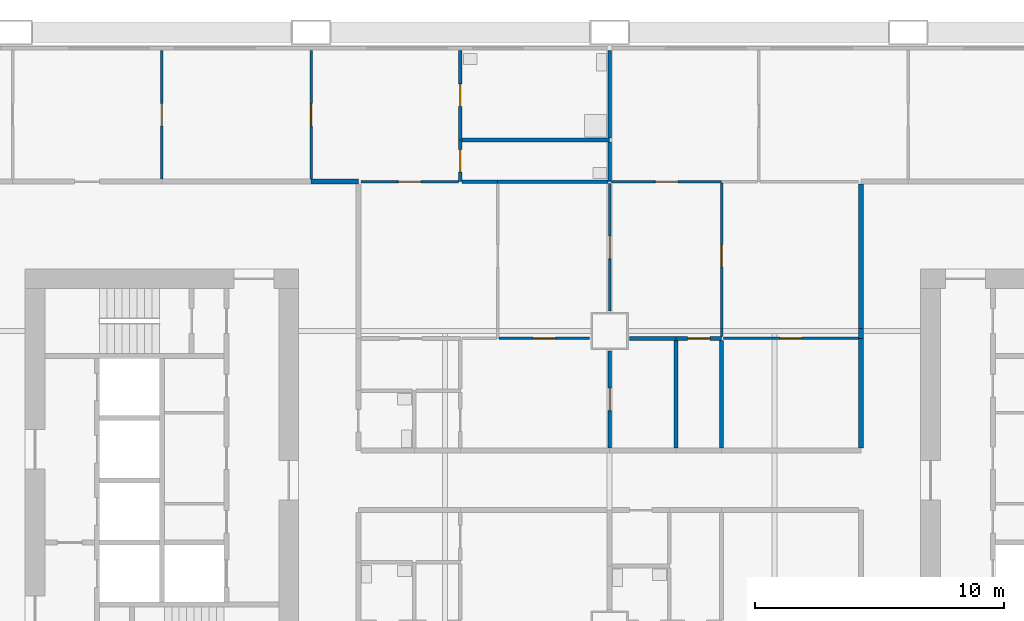
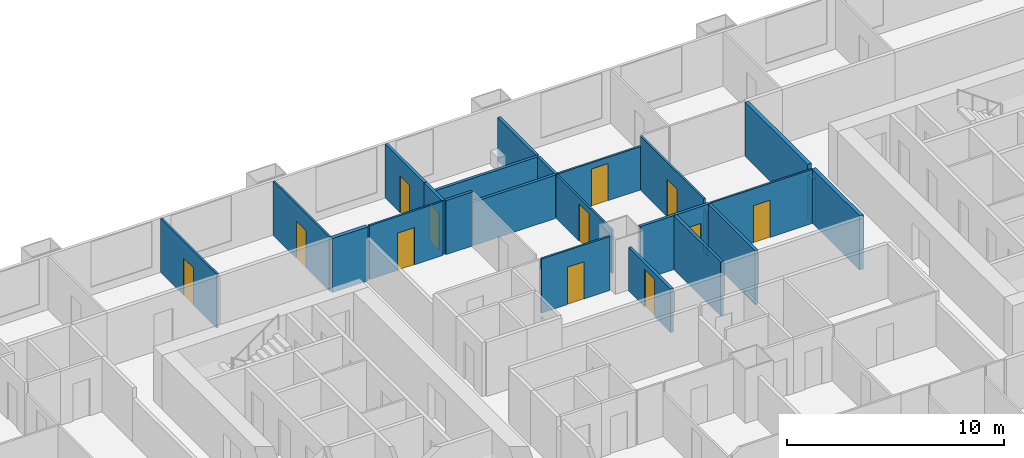
# One storey, part 9 of 14: 25 walls, 12 doors, 12 openings.
"""IFC4 building model written with IfcOpenShell, lengths in metres."""

from ifc_helpers import new_model, si_unit, direction, frame, frame_2d, origin, place, context, subcontext, project, spatial, rectangle, extrude, material, layer, layer_set, type_object, element, fill, save


model = new_model("IFC4")

# Units and contexts
model_context = context("Model", 3, precision=1e-05, world=origin(), true_north=direction((0.0, 1.0)))
body_context = subcontext(model_context, "Body", "Model", "MODEL_VIEW")
ifc_project = project(units=[si_unit("LENGTHUNIT", "METRE"), si_unit("AREAUNIT", "SQUARE_METRE"), si_unit("VOLUMEUNIT", "CUBIC_METRE"), si_unit("PLANEANGLEUNIT", "RADIAN"), si_unit("MASSUNIT", "GRAM", prefix="KILO")], contexts=[model_context])

# Site, building, storey
site_placement = place(None, origin())
site = spatial("IfcSite", under=ifc_project, at=site_placement, CompositionType="ELEMENT")
building_placement = place(site_placement, origin())
building = spatial("IfcBuilding", under=site, at=building_placement, Name="Kitamizu Gate Tower and Museum", CompositionType="ELEMENT")
storey_placement = place(building_placement, frame((0.0, 0.0, 67.949951171875)))
storey = spatial("IfcBuildingStorey", under=building, at=storey_placement, Name="L16", CompositionType="ELEMENT", Elevation=67.949951171875)

# Wall, opening, door
ifc_material_1 = material(Name="Gypsum board on galvanised stud")
ifc_layer_1 = layer(ifc_material_1, 0.10009765625)
ifc_layer_set_1 = layer_set([ifc_layer_1], Name="Gypsum board on galvanised stud")
wall_type_1 = type_object("IfcWallType", Name="Partition 100 NOT RATED", PredefinedType="PARTITIONING", material=ifc_layer_set_1)
wall_1_placement = place(storey_placement, frame((18.0, 42.10009765625, 0.0), z_axis=(0.0, 0.0, 1.0), x_axis=(0.0, 1.0, 0.0)))
wall_1 = element("IfcWall", 1, at=wall_1_placement, inside=storey, type_object=wall_type_1, Name="Partition L16-153", PredefinedType="PARTITIONING", context=body_context, shape_type="SweptSolid", body=[
    extrude(rectangle(XDim=5.179931640625, YDim=0.10009765625, at=frame_2d((2.58984375, 0.0))), origin(), (0.0, 0.0, 1.0), 3.050048828125),
])
opening_1_placement = place(wall_1_placement, frame((2.139892578125, 0.0, 0.0)))
opening_1 = element("IfcOpeningElement", 2, at=opening_1_placement, cuts=wall_1, Name="Opening L16-058", PredefinedType="OPENING", context=body_context, shape_type="SweptSolid", body=[
    extrude(rectangle(XDim=0.89990234375, YDim=2.10009765625, at=frame_2d((0.449951171875, 1.050048828125))), frame((0.0, 0.06005859375, 0.0), z_axis=(0.0, -1.0, 0.0), x_axis=(1.0, 0.0, 0.0)), (0.0, 0.0, 1.0), 0.1201171875),
])
ifc_material_2 = material(Name="Timber door set", Category="wood")
door_type_1 = type_object("IfcDoorType", Name="Room door 900", OperationType="NOTDEFINED", PredefinedType="DOOR", material=ifc_material_2)
door_1_placement = place(opening_1_placement, frame((0.89990234375, 0.0, 0.0), x_axis=(-1.0, 0.0, 0.0)))
door_1 = element("IfcDoor", 3, at=door_1_placement, inside=storey, type_object=door_type_1, Name="Door L16-058", OperationType="SINGLE_SWING_LEFT", OverallHeight=2.10009765625, OverallWidth=0.89990234375, PredefinedType="DOOR", context=body_context, shape_type="SweptSolid", body=[
    extrude(rectangle(XDim=0.89990234375, YDim=2.10009765625, at=frame_2d((0.449951171875, 1.050048828125))), frame((0.0, 0.02490234375, 0.0), z_axis=(0.0, -1.0, 0.0), x_axis=(1.0, 0.0, 0.0)), (0.0, 0.0, 1.0), 0.050048828125),
])
fill(opening_1, door_1)

wall_2_placement = place(storey_placement, frame((24.0, 42.10009765625, 0.0), z_axis=(0.0, 0.0, 1.0), x_axis=(0.0, 1.0, 0.0)))
wall_2 = element("IfcWall", 4, at=wall_2_placement, inside=storey, type_object=wall_type_1, Name="Partition L16-155", PredefinedType="PARTITIONING", context=body_context, shape_type="SweptSolid", body=[
    extrude(rectangle(XDim=5.179931640625, YDim=0.10009765625, at=frame_2d((2.58984375, 0.0))), origin(), (0.0, 0.0, 1.0), 3.050048828125),
])
opening_2_placement = place(wall_2_placement, frame((2.139892578125, 0.0, 0.0)))
opening_2 = element("IfcOpeningElement", 5, at=opening_2_placement, cuts=wall_2, Name="Opening L16-059", PredefinedType="OPENING", context=body_context, shape_type="SweptSolid", body=[
    extrude(rectangle(XDim=0.89990234375, YDim=2.10009765625, at=frame_2d((0.449951171875, 1.050048828125))), frame((0.0, 0.06005859375, 0.0), z_axis=(0.0, -1.0, 0.0), x_axis=(1.0, 0.0, 0.0)), (0.0, 0.0, 1.0), 0.1201171875),
])
door_2_placement = place(opening_2_placement, origin())
door_2 = element("IfcDoor", 6, at=door_2_placement, inside=storey, type_object=door_type_1, Name="Door L16-059", OperationType="SINGLE_SWING_LEFT", OverallHeight=2.10009765625, OverallWidth=0.89990234375, PredefinedType="DOOR", context=body_context, shape_type="SweptSolid", body=[
    extrude(rectangle(XDim=0.89990234375, YDim=2.10009765625, at=frame_2d((0.449951171875, 1.050048828125))), frame((0.0, 0.02490234375, 0.0), z_axis=(0.0, -1.0, 0.0), x_axis=(1.0, 0.0, 0.0)), (0.0, 0.0, 1.0), 0.050048828125),
])
fill(opening_2, door_2)

wall_3_placement = place(storey_placement, frame((26.0, 42.0, 0.0), z_axis=(0.0, 0.0, 1.0), x_axis=(1.0, 0.0, 0.0)))
wall_3 = element("IfcWall", 7, at=wall_3_placement, inside=storey, type_object=wall_type_1, Name="Partition L16-159", PredefinedType="PARTITIONING", context=body_context, shape_type="SweptSolid", body=[
    extrude(rectangle(XDim=3.925048828125, YDim=0.10009765625, at=frame_2d((1.96240234375, 0.0))), origin(), (0.0, 0.0, 1.0), 3.050048828125),
])
opening_3_placement = place(wall_3_placement, frame((1.512451171875, 0.0, 0.0)))
opening_3 = element("IfcOpeningElement", 8, at=opening_3_placement, cuts=wall_3, Name="Opening L16-062", PredefinedType="OPENING", context=body_context, shape_type="SweptSolid", body=[
    extrude(rectangle(XDim=0.89990234375, YDim=2.10009765625, at=frame_2d((0.449951171875, 1.050048828125))), frame((0.0, 0.06005859375, 0.0), z_axis=(0.0, -1.0, 0.0), x_axis=(1.0, 0.0, 0.0)), (0.0, 0.0, 1.0), 0.1201171875),
])
door_3_placement = place(opening_3_placement, origin())
door_3 = element("IfcDoor", 9, at=door_3_placement, inside=storey, type_object=door_type_1, Name="Door L16-062", OperationType="SINGLE_SWING_RIGHT", OverallHeight=2.10009765625, OverallWidth=0.89990234375, PredefinedType="DOOR", context=body_context, shape_type="SweptSolid", body=[
    extrude(rectangle(XDim=0.89990234375, YDim=2.10009765625, at=frame_2d((0.449951171875, 1.050048828125))), frame((0.0, 0.02490234375, 0.0), z_axis=(0.0, -1.0, 0.0), x_axis=(1.0, 0.0, 0.0)), (0.0, 0.0, 1.0), 0.050048828125),
])
fill(opening_3, door_3)

wall_4_placement = place(storey_placement, frame((36.074951171875, 42.0, 0.0), z_axis=(0.0, 0.0, 1.0), x_axis=(1.0, 0.0, 0.0)))
wall_4 = element("IfcWall", 10, at=wall_4_placement, inside=storey, type_object=wall_type_1, Name="Partition L16-167", PredefinedType="PARTITIONING", context=body_context, shape_type="SweptSolid", body=[
    extrude(rectangle(XDim=4.425048828125, YDim=0.10009765625, at=frame_2d((2.21240234375, 0.0))), origin(), (0.0, 0.0, 1.0), 2.449951171875),
])
opening_4_placement = place(wall_4_placement, frame((1.762451171875, 0.0, 0.0)))
opening_4 = element("IfcOpeningElement", 11, at=opening_4_placement, cuts=wall_4, Name="Opening L16-071", PredefinedType="OPENING", context=body_context, shape_type="SweptSolid", body=[
    extrude(rectangle(XDim=0.89990234375, YDim=2.10009765625, at=frame_2d((0.449951171875, 1.050048828125))), frame((0.0, 0.06005859375, 0.0), z_axis=(0.0, -1.0, 0.0), x_axis=(1.0, 0.0, 0.0)), (0.0, 0.0, 1.0), 0.1201171875),
])
door_4_placement = place(opening_4_placement, frame((0.89990234375, 0.0, 0.0), x_axis=(-1.0, 0.0, 0.0)))
door_4 = element("IfcDoor", 12, at=door_4_placement, inside=storey, type_object=door_type_1, Name="Door L16-071", OperationType="SINGLE_SWING_LEFT", OverallHeight=2.10009765625, OverallWidth=0.89990234375, PredefinedType="DOOR", context=body_context, shape_type="SweptSolid", body=[
    extrude(rectangle(XDim=0.89990234375, YDim=2.10009765625, at=frame_2d((0.449951171875, 1.050048828125))), frame((0.0, 0.02490234375, 0.0), z_axis=(0.0, -1.0, 0.0), x_axis=(1.0, 0.0, 0.0)), (0.0, 0.0, 1.0), 0.050048828125),
])
fill(opening_4, door_4)

wall_5_placement = place(storey_placement, frame((31.550048828125, 35.699951171875, 0.0), z_axis=(0.0, 0.0, 1.0), x_axis=(1.0, 0.0, 0.0)))
wall_5 = element("IfcWall", 13, at=wall_5_placement, inside=storey, type_object=wall_type_1, Name="Partition L16-181", PredefinedType="PARTITIONING", context=body_context, shape_type="SweptSolid", body=[
    extrude(rectangle(XDim=3.64990234375, YDim=0.10009765625, at=frame_2d((1.824951171875, 0.0))), origin(), (0.0, 0.0, 1.0), 3.050048828125),
])
opening_5_placement = place(wall_5_placement, frame((1.375, 0.0, 0.0)))
opening_5 = element("IfcOpeningElement", 14, at=opening_5_placement, cuts=wall_5, Name="Opening L16-065", PredefinedType="OPENING", context=body_context, shape_type="SweptSolid", body=[
    extrude(rectangle(XDim=0.89990234375, YDim=2.10009765625, at=frame_2d((0.449951171875, 1.050048828125))), frame((0.0, 0.06005859375, 0.0), z_axis=(0.0, -1.0, 0.0), x_axis=(1.0, 0.0, 0.0)), (0.0, 0.0, 1.0), 0.1201171875),
])
door_5_placement = place(opening_5_placement, frame((0.89990234375, 0.0, 0.0), x_axis=(-1.0, 0.0, 0.0)))
door_5 = element("IfcDoor", 15, at=door_5_placement, inside=storey, type_object=door_type_1, Name="Door L16-065", OperationType="SINGLE_SWING_RIGHT", OverallHeight=2.10009765625, OverallWidth=0.89990234375, PredefinedType="DOOR", context=body_context, shape_type="SweptSolid", body=[
    extrude(rectangle(XDim=0.89990234375, YDim=2.10009765625, at=frame_2d((0.449951171875, 1.050048828125))), frame((0.0, 0.02490234375, 0.0), z_axis=(0.0, -1.0, 0.0), x_axis=(1.0, 0.0, 0.0)), (0.0, 0.0, 1.0), 0.050048828125),
])
fill(opening_5, door_5)

wall_6_placement = place(storey_placement, frame((36.0, 36.800048828125, 0.0), z_axis=(0.0, 0.0, 1.0), x_axis=(0.0, 1.0, 0.0)))
wall_6 = element("IfcWall", 16, at=wall_6_placement, inside=storey, type_object=wall_type_1, Name="Partition L16-182", PredefinedType="PARTITIONING", context=body_context, shape_type="SweptSolid", body=[
    extrude(rectangle(XDim=5.125, YDim=0.10009765625, at=frame_2d((2.5625, 0.0))), origin(), (0.0, 0.0, 1.0), 2.449951171875),
])
opening_6_placement = place(wall_6_placement, frame((2.112548828125, 0.0, 0.0)))
opening_6 = element("IfcOpeningElement", 17, at=opening_6_placement, cuts=wall_6, Name="Opening L16-066", PredefinedType="OPENING", context=body_context, shape_type="SweptSolid", body=[
    extrude(rectangle(XDim=0.89990234375, YDim=2.10009765625, at=frame_2d((0.449951171875, 1.050048828125))), frame((0.0, 0.06005859375, 0.0), z_axis=(0.0, -1.0, 0.0), x_axis=(1.0, 0.0, 0.0)), (0.0, 0.0, 1.0), 0.1201171875),
])
door_6_placement = place(opening_6_placement, frame((0.89990234375, 0.0, 0.0), x_axis=(-1.0, 0.0, 0.0)))
door_6 = element("IfcDoor", 18, at=door_6_placement, inside=storey, type_object=door_type_1, Name="Door L16-066", OperationType="SINGLE_SWING_RIGHT", OverallHeight=2.10009765625, OverallWidth=0.89990234375, PredefinedType="DOOR", context=body_context, shape_type="SweptSolid", body=[
    extrude(rectangle(XDim=0.89990234375, YDim=2.10009765625, at=frame_2d((0.449951171875, 1.050048828125))), frame((0.0, 0.02490234375, 0.0), z_axis=(0.0, -1.0, 0.0), x_axis=(1.0, 0.0, 0.0)), (0.0, 0.0, 1.0), 0.050048828125),
])
fill(opening_6, door_6)

# Wall
wall_7_placement = place(storey_placement, frame((40.5, 35.77490234375, 0.0), z_axis=(0.0, 0.0, 1.0), x_axis=(0.0, 1.0, 0.0)))
element("IfcWall", 19, at=wall_7_placement, inside=storey, type_object=wall_type_1, Name="Partition L16-194", PredefinedType="PARTITIONING", context=body_context, shape_type="SweptSolid", body=[
    extrude(rectangle(XDim=0.3251953125, YDim=0.10009765625, at=frame_2d((0.16259765625, 0.0))), origin(), (0.0, 0.0, 1.0), 2.449951171875),
])

# Wall, opening, door
wall_8_placement = place(storey_placement, frame((40.5, 36.10009765625, 0.0), z_axis=(0.0, 0.0, 1.0), x_axis=(0.0, 1.0, 0.0)))
wall_8 = element("IfcWall", 20, at=wall_8_placement, inside=storey, type_object=wall_type_1, Name="Partition L16-195", PredefinedType="PARTITIONING", context=body_context, shape_type="SweptSolid", body=[
    extrude(rectangle(XDim=5.849853515625, YDim=0.10009765625, at=frame_2d((2.9248046875, 0.0))), origin(), (0.0, 0.0, 1.0), 3.050048828125),
])
opening_7_placement = place(wall_8_placement, frame((2.47509765625, 0.0, 0.0)))
opening_7 = element("IfcOpeningElement", 21, at=opening_7_placement, cuts=wall_8, Name="Opening L16-067", PredefinedType="OPENING", context=body_context, shape_type="SweptSolid", body=[
    extrude(rectangle(XDim=0.89990234375, YDim=2.10009765625, at=frame_2d((0.449951171875, 1.050048828125))), frame((0.0, 0.06005859375, 0.0), z_axis=(0.0, -1.0, 0.0), x_axis=(1.0, 0.0, 0.0)), (0.0, 0.0, 1.0), 0.1201171875),
])
door_7_placement = place(opening_7_placement, origin())
door_7 = element("IfcDoor", 22, at=door_7_placement, inside=storey, type_object=door_type_1, Name="Door L16-067", OperationType="SINGLE_SWING_RIGHT", OverallHeight=2.10009765625, OverallWidth=0.89990234375, PredefinedType="DOOR", context=body_context, shape_type="SweptSolid", body=[
    extrude(rectangle(XDim=0.89990234375, YDim=2.10009765625, at=frame_2d((0.449951171875, 1.050048828125))), frame((0.0, 0.02490234375, 0.0), z_axis=(0.0, -1.0, 0.0), x_axis=(1.0, 0.0, 0.0)), (0.0, 0.0, 1.0), 0.050048828125),
])
fill(opening_7, door_7)

wall_9_placement = place(storey_placement, frame((40.574951171875, 35.699951171875, 0.0), z_axis=(0.0, 0.0, 1.0), x_axis=(1.0, 0.0, 0.0)))
wall_9 = element("IfcWall", 23, at=wall_9_placement, inside=storey, type_object=wall_type_1, Name="Partition L16-198", PredefinedType="PARTITIONING", context=body_context, shape_type="SweptSolid", body=[
    extrude(rectangle(XDim=5.425048828125, YDim=0.10009765625, at=frame_2d((2.71240234375, 0.0))), origin(), (0.0, 0.0, 1.0), 3.050048828125),
])
opening_8_placement = place(wall_9_placement, frame((2.262451171875, 0.0, 0.0)))
opening_8 = element("IfcOpeningElement", 24, at=opening_8_placement, cuts=wall_9, Name="Opening L16-070", PredefinedType="OPENING", context=body_context, shape_type="SweptSolid", body=[
    extrude(rectangle(XDim=0.89990234375, YDim=2.10009765625, at=frame_2d((0.449951171875, 1.050048828125))), frame((0.0, 0.06005859375, 0.0), z_axis=(0.0, -1.0, 0.0), x_axis=(1.0, 0.0, 0.0)), (0.0, 0.0, 1.0), 0.1201171875),
])
door_8_placement = place(opening_8_placement, frame((0.89990234375, 0.0, 0.0), x_axis=(-1.0, 0.0, 0.0)))
door_8 = element("IfcDoor", 25, at=door_8_placement, inside=storey, type_object=door_type_1, Name="Door L16-070", OperationType="SINGLE_SWING_RIGHT", OverallHeight=2.10009765625, OverallWidth=0.89990234375, PredefinedType="DOOR", context=body_context, shape_type="SweptSolid", body=[
    extrude(rectangle(XDim=0.89990234375, YDim=2.10009765625, at=frame_2d((0.449951171875, 1.050048828125))), frame((0.0, 0.02490234375, 0.0), z_axis=(0.0, -1.0, 0.0), x_axis=(1.0, 0.0, 0.0)), (0.0, 0.0, 1.0), 0.050048828125),
])
fill(opening_8, door_8)

ifc_material_3 = material(Name="Gypsum board on galvanised stud")
ifc_layer_2 = layer(ifc_material_3, 0.14990234375)
ifc_layer_set_2 = layer_set([ifc_layer_2], Name="Gypsum board on galvanised stud")
wall_type_2 = type_object("IfcWallType", Name="Partition 150", PredefinedType="PARTITIONING", material=ifc_layer_set_2)
wall_10_placement = place(storey_placement, frame((30.0, 43.679931640625, 0.0), z_axis=(0.0, 0.0, 1.0), x_axis=(0.0, 1.0, 0.0)))
wall_10 = element("IfcWall", 26, at=wall_10_placement, inside=storey, type_object=wall_type_2, Name="Partition L16-157", PredefinedType="PARTITIONING", context=body_context, shape_type="SweptSolid", body=[
    extrude(rectangle(XDim=3.60009765625, YDim=0.14990234375, at=frame_2d((1.800048828125, 0.0))), origin(), (0.0, 0.0, 1.0), 3.050048828125),
])
opening_9_placement = place(wall_10_placement, frame((1.35009765625, 0.0, 0.0)))
opening_9 = element("IfcOpeningElement", 27, at=opening_9_placement, cuts=wall_10, Name="Opening L16-060", PredefinedType="OPENING", context=body_context, shape_type="SweptSolid", body=[
    extrude(rectangle(XDim=0.89990234375, YDim=2.10009765625, at=frame_2d((0.449951171875, 1.050048828125))), frame((0.0, 0.0849609375, 0.0), z_axis=(0.0, -1.0, 0.0), x_axis=(1.0, 0.0, 0.0)), (0.0, 0.0, 1.0), 0.169921875),
])
ifc_material_4 = material(Name="Timber door set", Category="wood")
door_type_2 = type_object("IfcDoorType", Name="Bathroom door 900", OperationType="NOTDEFINED", PredefinedType="DOOR", material=ifc_material_4)
door_9_placement = place(opening_9_placement, frame((0.89990234375, 0.0, 0.0), x_axis=(-1.0, 0.0, 0.0)))
door_9 = element("IfcDoor", 28, at=door_9_placement, inside=storey, type_object=door_type_2, Name="Bathroom door L16-060", OperationType="SINGLE_SWING_LEFT", OverallHeight=2.10009765625, OverallWidth=0.89990234375, PredefinedType="DOOR", context=body_context, shape_type="SweptSolid", body=[
    extrude(rectangle(XDim=0.89990234375, YDim=2.10009765625, at=frame_2d((0.449951171875, 1.050048828125))), frame((0.0, 0.02490234375, 0.0), z_axis=(0.0, -1.0, 0.0), x_axis=(1.0, 0.0, 0.0)), (0.0, 0.0, 1.0), 0.050048828125),
])
fill(opening_9, door_9)

wall_11_placement = place(storey_placement, frame((30.0, 42.0, 0.0), z_axis=(0.0, 0.0, 1.0), x_axis=(0.0, 1.0, 0.0)))
wall_11 = element("IfcWall", 29, at=wall_11_placement, inside=storey, type_object=wall_type_2, Name="Partition L16-158", PredefinedType="PARTITIONING", context=body_context, shape_type="SweptSolid", body=[
    extrude(rectangle(XDim=1.679931640625, YDim=0.14990234375, at=frame_2d((0.83984375, 0.0))), origin(), (0.0, 0.0, 1.0), 3.050048828125),
])
opening_10_placement = place(wall_11_placement, frame((0.389892578125, 0.0, 0.0)))
opening_10 = element("IfcOpeningElement", 30, at=opening_10_placement, cuts=wall_11, Name="Opening L16-061", PredefinedType="OPENING", context=body_context, shape_type="SweptSolid", body=[
    extrude(rectangle(XDim=0.89990234375, YDim=2.10009765625, at=frame_2d((0.449951171875, 1.050048828125))), frame((0.0, 0.0849609375, 0.0), z_axis=(0.0, -1.0, 0.0), x_axis=(1.0, 0.0, 0.0)), (0.0, 0.0, 1.0), 0.169921875),
])
door_10_placement = place(opening_10_placement, frame((0.89990234375, 0.0, 0.0), x_axis=(-1.0, 0.0, 0.0)))
door_10 = element("IfcDoor", 31, at=door_10_placement, inside=storey, type_object=door_type_2, Name="Bathroom door L16-061", OperationType="SINGLE_SWING_RIGHT", OverallHeight=2.10009765625, OverallWidth=0.89990234375, PredefinedType="DOOR", context=body_context, shape_type="SweptSolid", body=[
    extrude(rectangle(XDim=0.89990234375, YDim=2.10009765625, at=frame_2d((0.449951171875, 1.050048828125))), frame((0.0, 0.02490234375, 0.0), z_axis=(0.0, -1.0, 0.0), x_axis=(1.0, 0.0, 0.0)), (0.0, 0.0, 1.0), 0.050048828125),
])
fill(opening_10, door_10)

# Walls
wall_12_placement = place(storey_placement, frame((30.074951171875, 43.679931640625, 0.0), z_axis=(0.0, 0.0, 1.0), x_axis=(1.0, 0.0, 0.0)))
element("IfcWall", 32, at=wall_12_placement, inside=storey, type_object=wall_type_2, Name="Partition L16-161", PredefinedType="PARTITIONING", context=body_context, shape_type="SweptSolid", body=[
    extrude(rectangle(XDim=5.925048828125, YDim=0.14990234375, at=frame_2d((2.96240234375, 0.0))), origin(), (0.0, 0.0, 1.0), 2.449951171875),
])
wall_13_placement = place(storey_placement, frame((36.0, 43.7548828125, 0.0), z_axis=(0.0, 0.0, 1.0), x_axis=(0.0, 1.0, 0.0)))
element("IfcWall", 33, at=wall_13_placement, inside=storey, type_object=wall_type_2, Name="Partition L16-162", PredefinedType="PARTITIONING", context=body_context, shape_type="SweptSolid", body=[
    extrude(rectangle(XDim=3.525146484375, YDim=0.14990234375, at=frame_2d((1.7626953125, 0.0))), origin(), (0.0, 0.0, 1.0), 2.449951171875),
])
wall_14_placement = place(storey_placement, frame((36.0, 42.0, 0.0), z_axis=(0.0, 0.0, 1.0), x_axis=(0.0, 1.0, 0.0)))
element("IfcWall", 34, at=wall_14_placement, inside=storey, type_object=wall_type_2, Name="Partition L16-163", PredefinedType="PARTITIONING", context=body_context, shape_type="SweptSolid", body=[
    extrude(rectangle(XDim=1.60498046875, YDim=0.14990234375, at=frame_2d((0.802490234375, 0.0))), origin(), (0.0, 0.0, 1.0), 2.449951171875),
])
wall_15_placement = place(storey_placement, frame((30.074951171875, 42.0, 0.0), z_axis=(0.0, 0.0, 1.0), x_axis=(1.0, 0.0, 0.0)))
element("IfcWall", 35, at=wall_15_placement, inside=storey, type_object=wall_type_2, Name="Partition L16-164", PredefinedType="PARTITIONING", context=body_context, shape_type="SweptSolid", body=[
    extrude(rectangle(XDim=1.425048828125, YDim=0.14990234375, at=frame_2d((0.71240234375, 0.0))), origin(), (0.0, 0.0, 1.0), 3.050048828125),
])
wall_16_placement = place(storey_placement, frame((31.5, 42.0, 0.0), z_axis=(0.0, 0.0, 1.0), x_axis=(1.0, 0.0, 0.0)))
element("IfcWall", 36, at=wall_16_placement, inside=storey, type_object=wall_type_2, Name="Partition L16-165", PredefinedType="PARTITIONING", context=body_context, shape_type="SweptSolid", body=[
    extrude(rectangle(XDim=4.425048828125, YDim=0.14990234375, at=frame_2d((2.21240234375, 0.0))), origin(), (0.0, 0.0, 1.0), 2.449951171875),
])

# Wall, opening, door
wall_17_placement = place(storey_placement, frame((36.0, 31.300048828125, 0.0), z_axis=(0.0, 0.0, 1.0), x_axis=(0.0, 1.0, 0.0)))
wall_17 = element("IfcWall", 37, at=wall_17_placement, inside=storey, type_object=wall_type_2, Name="Partition L16-192", PredefinedType="PARTITIONING", context=body_context, shape_type="SweptSolid", body=[
    extrude(rectangle(XDim=3.89990234375, YDim=0.14990234375, at=frame_2d((1.949951171875, 0.0))), origin(), (0.0, 0.0, 1.0), 2.449951171875),
])
opening_11_placement = place(wall_17_placement, frame((1.5, 0.0, 0.0)))
opening_11 = element("IfcOpeningElement", 38, at=opening_11_placement, cuts=wall_17, Name="Opening L16-068", PredefinedType="OPENING", context=body_context, shape_type="SweptSolid", body=[
    extrude(rectangle(XDim=0.89990234375, YDim=2.10009765625, at=frame_2d((0.449951171875, 1.050048828125))), frame((0.0, 0.0849609375, 0.0), z_axis=(0.0, -1.0, 0.0), x_axis=(1.0, 0.0, 0.0)), (0.0, 0.0, 1.0), 0.169921875),
])
door_11_placement = place(opening_11_placement, frame((0.89990234375, 0.0, 0.0), x_axis=(-1.0, 0.0, 0.0)))
door_11 = element("IfcDoor", 39, at=door_11_placement, inside=storey, type_object=door_type_2, Name="Bathroom door L16-068", OperationType="SINGLE_SWING_RIGHT", OverallHeight=2.10009765625, OverallWidth=0.89990234375, PredefinedType="DOOR", context=body_context, shape_type="SweptSolid", body=[
    extrude(rectangle(XDim=0.89990234375, YDim=2.10009765625, at=frame_2d((0.449951171875, 1.050048828125))), frame((0.0, 0.02490234375, 0.0), z_axis=(0.0, -1.0, 0.0), x_axis=(1.0, 0.0, 0.0)), (0.0, 0.0, 1.0), 0.050048828125),
])
fill(opening_11, door_11)

# Wall
wall_18_placement = place(storey_placement, frame((36.800048828125, 35.699951171875, 0.0), z_axis=(0.0, 0.0, 1.0), x_axis=(1.0, 0.0, 0.0)))
element("IfcWall", 40, at=wall_18_placement, inside=storey, type_object=wall_type_2, Name="Partition L16-196", PredefinedType="PARTITIONING", context=body_context, shape_type="SweptSolid", body=[
    extrude(rectangle(XDim=1.866943359375, YDim=0.14990234375, at=frame_2d((0.93359375, 0.0))), origin(), (0.0, 0.0, 1.0), 3.050048828125),
])

# Wall, opening, door
wall_19_placement = place(storey_placement, frame((38.6669921875, 35.699951171875, 0.0), z_axis=(0.0, 0.0, 1.0), x_axis=(1.0, 0.0, 0.0)))
wall_19 = element("IfcWall", 41, at=wall_19_placement, inside=storey, type_object=wall_type_2, Name="Partition L16-197", PredefinedType="PARTITIONING", context=body_context, shape_type="SweptSolid", body=[
    extrude(rectangle(XDim=1.8330078125, YDim=0.14990234375, at=frame_2d((0.91650390625, 0.0))), origin(), (0.0, 0.0, 1.0), 3.050048828125),
])
opening_12_placement = place(wall_19_placement, frame((0.466552734375, 0.0, 0.0)))
opening_12 = element("IfcOpeningElement", 42, at=opening_12_placement, cuts=wall_19, Name="Opening L16-069", PredefinedType="OPENING", context=body_context, shape_type="SweptSolid", body=[
    extrude(rectangle(XDim=0.89990234375, YDim=2.10009765625, at=frame_2d((0.449951171875, 1.050048828125))), frame((0.0, 0.0849609375, 0.0), z_axis=(0.0, -1.0, 0.0), x_axis=(1.0, 0.0, 0.0)), (0.0, 0.0, 1.0), 0.169921875),
])
door_12_placement = place(opening_12_placement, frame((0.89990234375, 0.0, 0.0), x_axis=(-1.0, 0.0, 0.0)))
door_12 = element("IfcDoor", 43, at=door_12_placement, inside=storey, type_object=door_type_2, Name="Bathroom door L16-069", OperationType="SINGLE_SWING_LEFT", OverallHeight=2.10009765625, OverallWidth=0.89990234375, PredefinedType="DOOR", context=body_context, shape_type="SweptSolid", body=[
    extrude(rectangle(XDim=0.89990234375, YDim=2.10009765625, at=frame_2d((0.449951171875, 1.050048828125))), frame((0.0, 0.02490234375, 0.0), z_axis=(0.0, -1.0, 0.0), x_axis=(1.0, 0.0, 0.0)), (0.0, 0.0, 1.0), 0.050048828125),
])
fill(opening_12, door_12)

# Walls
for number, where, z_axis, x_axis, name in (
    (44, (38.6669921875, 31.300048828125, 0.0), (0.0, 0.0, 1.0), (0.0, 1.0, 0.0), "Partition L16-201"),
    (45, (40.5, 31.300048828125, 0.0), (0.0, 0.0, 1.0), (0.0, 1.0, 0.0), "Partition L16-203"),
):
    element("IfcWall", number, at=place(storey_placement, frame(where, z_axis=z_axis, x_axis=x_axis)), inside=storey, type_object=wall_type_2, Name=name, PredefinedType="PARTITIONING", context=body_context, shape_type="SweptSolid", body=[
        extrude(rectangle(XDim=4.324951171875, YDim=0.14990234375, at=frame_2d((2.16259765625, 0.0))), origin(), (0.0, 0.0, 1.0), 3.050048828125),
    ])
ifc_material_5 = material(Name="Gypsum board on galvanised stud")
ifc_layer_3 = layer(ifc_material_5, 0.199951171875)
ifc_layer_set_3 = layer_set([ifc_layer_3], Name="Gypsum board on galvanised stud")
wall_type_3 = type_object("IfcWallType", Name="Partition 200", PredefinedType="PARTITIONING", material=ifc_layer_set_3)
wall_20_placement = place(storey_placement, frame((24.0, 42.0, 0.0), z_axis=(0.0, 0.0, 1.0), x_axis=(1.0, 0.0, 0.0)))
element("IfcWall", 46, at=wall_20_placement, inside=storey, type_object=wall_type_3, Name="Partition L16-160", PredefinedType="PARTITIONING", context=body_context, shape_type="SweptSolid", body=[
    extrude(rectangle(XDim=1.89990234375, YDim=0.199951171875, at=frame_2d((0.949951171875, 0.0))), origin(), (0.0, 0.0, 1.0), 3.050048828125),
])
wall_21_placement = place(storey_placement, frame((46.10009765625, 35.699951171875, 0.0), z_axis=(0.0, 0.0, 1.0), x_axis=(0.0, 1.0, 0.0)))
element("IfcWall", 47, at=wall_21_placement, inside=storey, type_object=wall_type_3, Name="Partition L16-199", PredefinedType="PARTITIONING", context=body_context, shape_type="SweptSolid", body=[
    extrude(rectangle(XDim=0.400146484375, YDim=0.199951171875, at=frame_2d((0.2001953125, 0.0))), origin(), (0.0, 0.0, 1.0), 2.449951171875),
])
wall_22_placement = place(storey_placement, frame((46.10009765625, 36.10009765625, 0.0), z_axis=(0.0, 0.0, 1.0), x_axis=(0.0, 1.0, 0.0)))
element("IfcWall", 48, at=wall_22_placement, inside=storey, type_object=wall_type_3, Name="Partition L16-200", PredefinedType="PARTITIONING", context=body_context, shape_type="SweptSolid", body=[
    extrude(rectangle(XDim=5.7998046875, YDim=0.199951171875, at=frame_2d((2.89990234375, 0.0))), origin(), (0.0, 0.0, 1.0), 3.050048828125),
])
wall_23_placement = place(storey_placement, frame((46.10009765625, 31.300048828125, 0.0), z_axis=(0.0, 0.0, 1.0), x_axis=(0.0, 1.0, 0.0)))
element("IfcWall", 49, at=wall_23_placement, inside=storey, type_object=wall_type_3, Name="Partition L16-206", PredefinedType="PARTITIONING", context=body_context, shape_type="SweptSolid", body=[
    extrude(rectangle(XDim=4.39990234375, YDim=0.199951171875, at=frame_2d((2.199951171875, 0.0))), origin(), (0.0, 0.0, 1.0), 3.050048828125),
])

save(model, "model.ifc")
